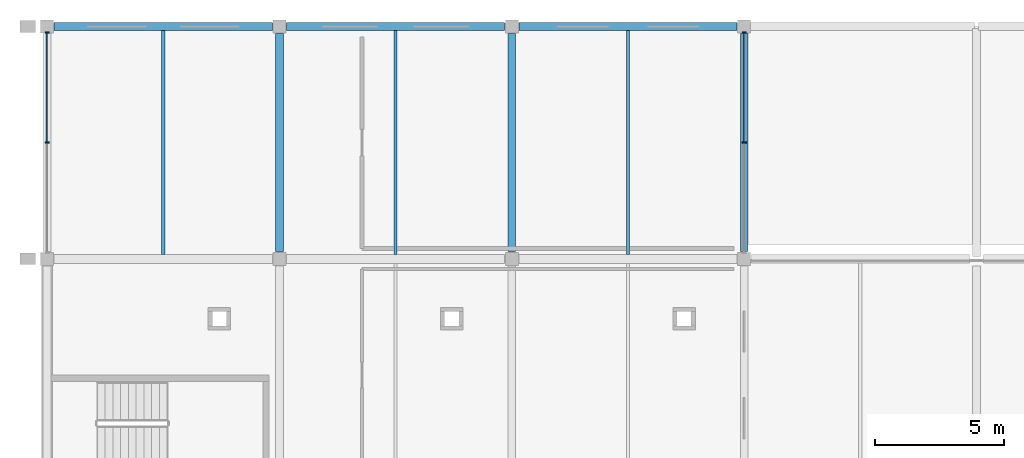
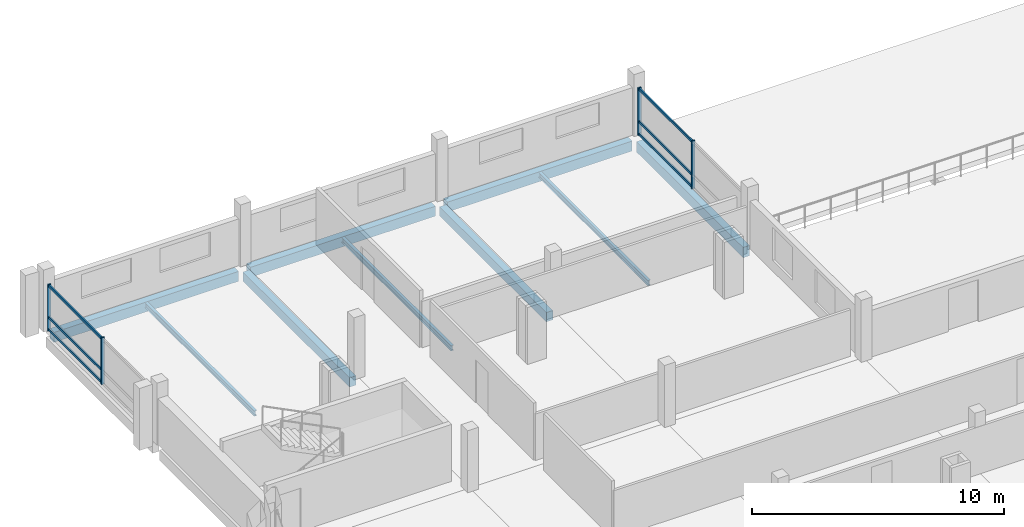
# One storey, part 7 of 25: 10 members, 9 beams, 2 elements without a shape of their own.
"""IFC4 building model written with IfcOpenShell, lengths in metres."""

from ifc_helpers import new_model, si_unit, direction, frame, origin, origin_2d, place, context, subcontext, project, spatial, rectangle, i_section, extrude, material, material_profile, profile_set, type_object, element, aggregate, save


model = new_model("IFC4")

# Units and contexts
model_context = context("Model", 3, precision=1e-05, world=origin(), true_north=direction((0.0, 1.0)))
body_context = subcontext(model_context, "Body", "Model", "MODEL_VIEW")
ifc_project = project(units=[si_unit("LENGTHUNIT", "METRE"), si_unit("AREAUNIT", "SQUARE_METRE"), si_unit("VOLUMEUNIT", "CUBIC_METRE"), si_unit("PLANEANGLEUNIT", "RADIAN"), si_unit("MASSUNIT", "GRAM", prefix="KILO")], contexts=[model_context])

# Site, building, storey
site_placement = place(None, origin())
site = spatial("IfcSite", under=ifc_project, at=site_placement, CompositionType="ELEMENT")
building_placement = place(site_placement, origin())
building = spatial("IfcBuilding", under=site, at=building_placement, Name="Tharagai Park Tramway Depot", CompositionType="ELEMENT")
storey_placement = place(building_placement, frame((0.0, 0.0, 12.0)))
storey = spatial("IfcBuildingStorey", under=building, at=storey_placement, Name="L03", CompositionType="ELEMENT", Elevation=12.0)

# Beams
ifc_material_1 = material(Name="Concrete M35", Category="concrete")
ifc_material_profile_1 = material_profile(ifc_material_1, rectangle(XDim=0.300048828125, YDim=0.449951171875, at=origin_2d()), Name="RC 300x450")
ifc_profile_set_1 = profile_set([ifc_material_profile_1], Name="Concrete M35")
beam_type_1 = type_object("IfcBeamType", Name="BM-14", PredefinedType="BEAM", material=ifc_profile_set_1)
for number, where, z_axis, x_axis, name in (
    (1, (9.0, 27.27490234375, -0.47509765625), (0.0, 1.0, 0.0), (-1.0, 0.0, 0.0), "L03 Grid Beam BM-14"),
    (2, (18.0, 27.27490234375, -0.47509765625), (0.0, 1.0, 0.0), (-1.0, 0.0, 0.0), "L03 Grid Beam BM-14"),
):
    element("IfcBeam", number, at=place(storey_placement, frame(where, z_axis=z_axis, x_axis=x_axis)), inside=storey, type_object=beam_type_1, Name=name, PredefinedType="BEAM", context=body_context, shape_type="SweptSolid", body=[
        extrude(rectangle(XDim=0.300048828125, YDim=0.449951171875, at=origin_2d()), origin(), (0.0, 0.0, 1.0), 8.4501953125),
    ])

# Curtain wall, members
ifc_material_2 = material(Name="Anodised aluminium", Category="aluminium")
curtain_wall_type = type_object("IfcCurtainWallType", Name="CW-07", PredefinedType="NOTDEFINED", material=ifc_material_2)
curtain_wall_1_placement = place(storey_placement, origin())
curtain_wall_1 = element("IfcCurtainWall", 3, at=curtain_wall_1_placement, inside=storey, type_object=curtain_wall_type, Name="L03 V4 Side Mullioned Curtain Wall CW-07", PredefinedType="NOTDEFINED")
ifc_material_profile_2 = material_profile(ifc_material_2, rectangle(XDim=0.06494140625, YDim=0.1201171875, at=origin_2d()), Name="ALU 65x120")
ifc_profile_set_2 = profile_set([ifc_material_profile_2], Name="Anodised aluminium")
member_type_1 = type_object("IfcMemberType", Name="CM-01", PredefinedType="USERDEFINED", material=ifc_profile_set_2)
member_1_placement = place(storey_placement, frame((0.0, 31.514892578125, 0.06005859375), z_axis=(0.0, 1.0, 0.0), x_axis=(-1.0, 0.0, 0.0)))
member_1 = element("IfcMember", 4, at=member_1_placement, type_object=member_type_1, Name="L03 V4 Side Mullioned Curtain Wall Transom 2.1", ObjectType="TRANSOM", PredefinedType="USERDEFINED", context=body_context, shape_type="SweptSolid", body=[
    extrude(rectangle(XDim=0.06494140625, YDim=0.1201171875, at=origin_2d()), origin(), (0.0, 0.0, 1.0), 4.230224609375),
])
member_2_placement = place(storey_placement, frame((0.0, 31.514892578125, 0.64990234375), z_axis=(0.0, 1.0, 0.0), x_axis=(-1.0, 0.0, 0.0)))
member_2 = element("IfcMember", 5, at=member_2_placement, type_object=member_type_1, Name="L03 V4 Side Mullioned Curtain Wall Transom 2.2", ObjectType="TRANSOM", PredefinedType="USERDEFINED", context=body_context, shape_type="SweptSolid", body=[
    extrude(rectangle(XDim=0.06494140625, YDim=0.1201171875, at=origin_2d()), origin(), (0.0, 0.0, 1.0), 4.230224609375),
])
member_3_placement = place(storey_placement, frame((0.0, 31.514892578125, 2.169921875), z_axis=(0.0, 1.0, 0.0), x_axis=(-1.0, 0.0, 0.0)))
member_3 = element("IfcMember", 6, at=member_3_placement, type_object=member_type_1, Name="L03 V4 Side Mullioned Curtain Wall Transom 2.3", ObjectType="TRANSOM", PredefinedType="USERDEFINED", context=body_context, shape_type="SweptSolid", body=[
    extrude(rectangle(XDim=0.06494140625, YDim=0.1201171875, at=origin_2d()), origin(), (0.0, 0.0, 1.0), 4.230224609375),
])

curtain_wall_2_placement = place(storey_placement, origin())
curtain_wall_2 = element("IfcCurtainWall", 7, at=curtain_wall_2_placement, inside=storey, type_object=curtain_wall_type, Name="L03 V4 Side Mullioned Curtain Wall CW-07", PredefinedType="NOTDEFINED")
member_4_placement = place(storey_placement, frame((27.0, 31.514892578125, 0.06005859375), z_axis=(0.0, 1.0, 0.0), x_axis=(-1.0, 0.0, 0.0)))
member_4 = element("IfcMember", 8, at=member_4_placement, type_object=member_type_1, Name="L03 V4 Side Mullioned Curtain Wall Transom 2.1", ObjectType="TRANSOM", PredefinedType="USERDEFINED", context=body_context, shape_type="SweptSolid", body=[
    extrude(rectangle(XDim=0.06494140625, YDim=0.1201171875, at=origin_2d()), origin(), (0.0, 0.0, 1.0), 4.230224609375),
])
member_5_placement = place(storey_placement, frame((27.0, 31.514892578125, 0.64990234375), z_axis=(0.0, 1.0, 0.0), x_axis=(-1.0, 0.0, 0.0)))
member_5 = element("IfcMember", 9, at=member_5_placement, type_object=member_type_1, Name="L03 V4 Side Mullioned Curtain Wall Transom 2.2", ObjectType="TRANSOM", PredefinedType="USERDEFINED", context=body_context, shape_type="SweptSolid", body=[
    extrude(rectangle(XDim=0.06494140625, YDim=0.1201171875, at=origin_2d()), origin(), (0.0, 0.0, 1.0), 4.230224609375),
])
member_6_placement = place(storey_placement, frame((27.0, 31.514892578125, 2.22998046875), z_axis=(0.0, 1.0, 0.0), x_axis=(-1.0, 0.0, 0.0)))
member_6 = element("IfcMember", 10, at=member_6_placement, type_object=member_type_1, Name="L03 V4 Side Mullioned Curtain Wall Transom 2.3", ObjectType="TRANSOM", PredefinedType="USERDEFINED", context=body_context, shape_type="SweptSolid", body=[
    extrude(rectangle(XDim=0.06494140625, YDim=0.1201171875, at=origin_2d()), origin(), (0.0, 0.0, 1.0), 4.230224609375),
])

# Member
ifc_material_profile_3 = material_profile(ifc_material_2, rectangle(XDim=0.06494140625, YDim=0.14990234375, at=origin_2d()), Name="ALU 65x150")
ifc_profile_set_3 = profile_set([ifc_material_profile_3], Name="Anodised aluminium")
member_type_2 = type_object("IfcMemberType", Name="CM-03", PredefinedType="MULLION", material=ifc_profile_set_3)
member_7_placement = place(storey_placement, frame((0.0, 31.5, -0.0048828125), z_axis=(0.0, 0.0, 1.0), x_axis=(0.0, 1.0, 0.0)))
member_7 = element("IfcMember", 11, at=member_7_placement, type_object=member_type_2, Name="L03 V4 Side Mullioned Curtain Wall Mullion 2", PredefinedType="MULLION", context=body_context, shape_type="SweptSolid", body=[
    extrude(rectangle(XDim=0.06494140625, YDim=0.14990234375, at=origin_2d()), origin(), (0.0, 0.0, 1.0), 2.259765625),
])

member_8_placement = place(storey_placement, frame((0.0, 35.760009765625, -0.0048828125), z_axis=(0.0, 0.0, 1.0), x_axis=(0.0, 1.0, 0.0)))
member_8 = element("IfcMember", 12, at=member_8_placement, type_object=member_type_2, Name="L03 V4 Side Mullioned Curtain Wall Mullion 3", PredefinedType="MULLION", context=body_context, shape_type="SweptSolid", body=[
    extrude(rectangle(XDim=0.06494140625, YDim=0.14990234375, at=origin_2d()), origin(), (0.0, 0.0, 1.0), 2.259765625),
])

aggregate(curtain_wall_1, [member_7, member_8, member_1, member_2, member_3])

member_9_placement = place(storey_placement, frame((27.0, 31.5, -0.0048828125), z_axis=(0.0, 0.0, 1.0), x_axis=(0.0, 1.0, 0.0)))
member_9 = element("IfcMember", 13, at=member_9_placement, type_object=member_type_2, Name="L03 V4 Side Mullioned Curtain Wall Mullion 2", PredefinedType="MULLION", context=body_context, shape_type="SweptSolid", body=[
    extrude(rectangle(XDim=0.06494140625, YDim=0.14990234375, at=origin_2d()), origin(), (0.0, 0.0, 1.0), 2.31982421875),
])

member_10_placement = place(storey_placement, frame((27.0, 35.760009765625, -0.0048828125), z_axis=(0.0, 0.0, 1.0), x_axis=(0.0, 1.0, 0.0)))
member_10 = element("IfcMember", 14, at=member_10_placement, type_object=member_type_2, Name="L03 V4 Side Mullioned Curtain Wall Mullion 3", PredefinedType="MULLION", context=body_context, shape_type="SweptSolid", body=[
    extrude(rectangle(XDim=0.06494140625, YDim=0.14990234375, at=origin_2d()), origin(), (0.0, 0.0, 1.0), 2.31982421875),
])

aggregate(curtain_wall_2, [member_9, member_10, member_4, member_5, member_6])

# Beams
ifc_material_3 = material(Name="Steel E250", Category="steel")
ifc_material_profile_4 = material_profile(ifc_material_3, i_section(OverallWidth=0.125, OverallDepth=0.25, WebThickness=0.006103515625, FlangeThickness=0.00830078125, FilletRadius=0.010009765625, at=origin_2d()), Name="ISLB 250")
ifc_profile_set_4 = profile_set([ifc_material_profile_4], Name="Steel E250")
beam_type_2 = type_object("IfcBeamType", Name="JT-04", PredefinedType="JOIST", material=ifc_profile_set_4)
for number, where, z_axis, x_axis, name in (
    (15, (4.5, 27.175048828125, -0.375), (0.0, 1.0, 0.0), (-1.0, 0.0, 0.0), "L03 Secondary Joist JT-04"),
    (16, (13.5, 27.175048828125, -0.375), (0.0, 1.0, 0.0), (-1.0, 0.0, 0.0), "L03 Secondary Joist JT-04"),
    (17, (22.5, 27.175048828125, -0.375), (0.0, 1.0, 0.0), (-1.0, 0.0, 0.0), "L03 Secondary Joist JT-04"),
):
    element("IfcBeam", number, at=place(storey_placement, frame(where, z_axis=z_axis, x_axis=x_axis)), inside=storey, type_object=beam_type_2, Name=name, PredefinedType="JOIST", context=body_context, shape_type="SweptSolid", body=[
        extrude(i_section(OverallWidth=0.125, OverallDepth=0.25, WebThickness=0.006103515625, FlangeThickness=0.00830078125, FilletRadius=0.010009765625, at=origin_2d()), origin(), (0.0, 0.0, 1.0), 8.6650390625),
    ])
ifc_material_profile_5 = material_profile(ifc_material_1, rectangle(XDim=0.300048828125, YDim=0.5, at=origin_2d()), Name="RC 300x500")
ifc_profile_set_5 = profile_set([ifc_material_profile_5], Name="Concrete M35")
beam_type_3 = type_object("IfcBeamType", Name="SP-03", PredefinedType="SPANDREL", material=ifc_profile_set_5)
beam_placement = place(storey_placement, frame((27.0, 27.27490234375, -0.5), z_axis=(0.0, 1.0, 0.0), x_axis=(-1.0, 0.0, 0.0)))
element("IfcBeam", 18, at=beam_placement, inside=storey, type_object=beam_type_3, Name="L03 Grid Beam SP-03", PredefinedType="SPANDREL", context=body_context, shape_type="SweptSolid", body=[
    extrude(rectangle(XDim=0.300048828125, YDim=0.5, at=origin_2d()), origin(), (0.0, 0.0, 1.0), 8.4501953125),
])
ifc_material_profile_6 = material_profile(ifc_material_1, rectangle(XDim=0.320068359375, YDim=0.47998046875, at=origin_2d()), Name="RC 320x480")
ifc_profile_set_6 = profile_set([ifc_material_profile_6], Name="Concrete M35")
beam_type_4 = type_object("IfcBeamType", Name="SP-05", PredefinedType="SPANDREL", material=ifc_profile_set_6)
for number, where, z_axis, x_axis, name in (
    (19, (0.27490234375, 36.0, -0.489990234375), (1.0, 0.0, 0.0), (0.0, 1.0, 0.0), "L03 Grid Beam SP-05"),
    (20, (9.27490234375, 36.0, -0.489990234375), (1.0, 0.0, 0.0), (0.0, 1.0, 0.0), "L03 Grid Beam SP-05"),
    (21, (18.27490234375, 36.0, -0.489990234375), (1.0, 0.0, 0.0), (0.0, 1.0, 0.0), "L03 Grid Beam SP-05"),
):
    element("IfcBeam", number, at=place(storey_placement, frame(where, z_axis=z_axis, x_axis=x_axis)), inside=storey, type_object=beam_type_4, Name=name, PredefinedType="SPANDREL", context=body_context, shape_type="SweptSolid", body=[
        extrude(rectangle(XDim=0.320068359375, YDim=0.47998046875, at=origin_2d()), origin(), (0.0, 0.0, 1.0), 8.4501953125),
    ])

save(model, "model.ifc")
